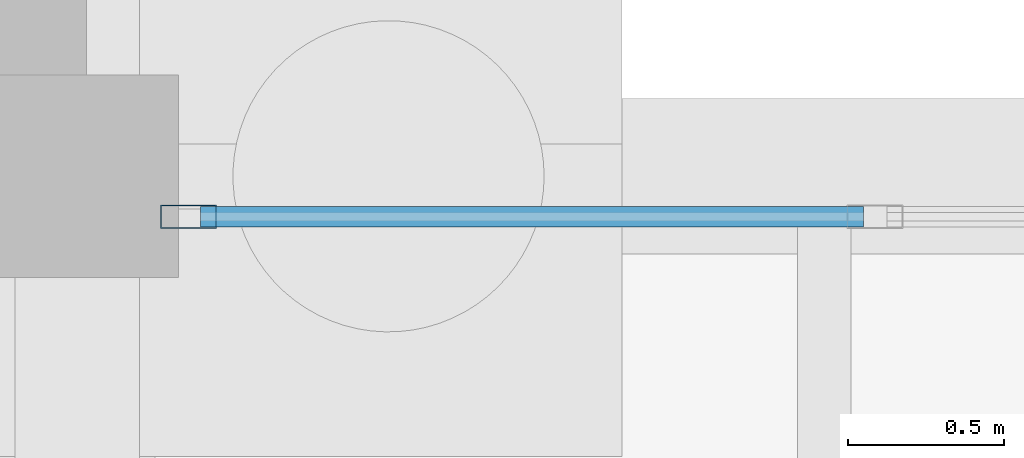
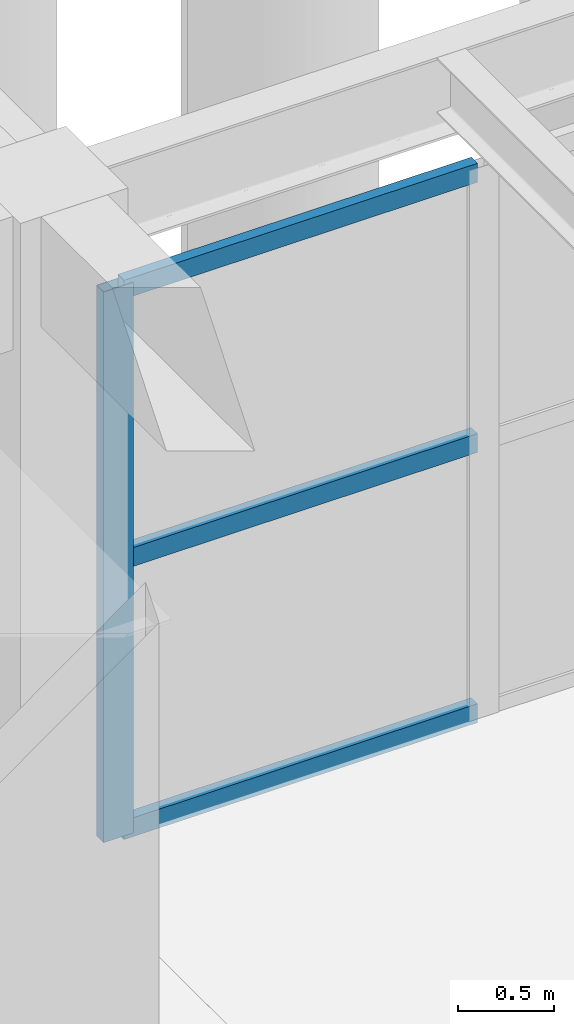
# One storey, part 9 of 28: 4 members, 1 element without a shape of its own.
"""IFC4 building model written with IfcOpenShell, lengths in metres."""

from ifc_helpers import new_model, si_unit, direction, frame, origin, origin_2d, place, context, subcontext, project, spatial, hollow_rectangle, extrude, material, material_profile, profile_set, type_object, element, aggregate, save


model = new_model("IFC4")

# Units and contexts
model_context = context("Model", 3, precision=1e-05, world=origin(), true_north=direction((0.0, 1.0)))
body_context = subcontext(model_context, "Body", "Model", "MODEL_VIEW")
ifc_project = project(units=[si_unit("LENGTHUNIT", "METRE"), si_unit("AREAUNIT", "SQUARE_METRE"), si_unit("VOLUMEUNIT", "CUBIC_METRE"), si_unit("PLANEANGLEUNIT", "RADIAN"), si_unit("MASSUNIT", "GRAM", prefix="KILO")], contexts=[model_context])

# Site, building, storey
site_placement = place(None, origin())
site = spatial("IfcSite", under=ifc_project, at=site_placement, CompositionType="ELEMENT")
building_placement = place(site_placement, origin())
building = spatial("IfcBuilding", under=site, at=building_placement, Name="Bramvelor Terrace Health Centre", CompositionType="ELEMENT")
storey_placement = place(building_placement, frame((0.0, 0.0, -4.5)))
storey = spatial("IfcBuildingStorey", under=building, at=storey_placement, Name="B1", CompositionType="ELEMENT", Elevation=-4.5)

# Curtain wall, members
ifc_material_1 = material(Name="Anodized aluminium and double low-E glass", Category="aluminium")
curtain_wall_type = type_object("IfcCurtainWallType", Name="CW-SYS-01", PredefinedType="NOTDEFINED", material=ifc_material_1)
curtain_wall_placement = place(storey_placement, origin())
curtain_wall = element("IfcCurtainWall", 1, at=curtain_wall_placement, inside=storey, type_object=curtain_wall_type, Name="B1 Unitized Curtain Wall 1", PredefinedType="NOTDEFINED")
ifc_material_2 = material(Name="Anodized aluminium 6063-T6", Category="aluminium")
ifc_material_profile_1 = material_profile(ifc_material_2, hollow_rectangle(XDim=0.074951171875, YDim=0.179931640625, WallThickness=0.00341796875, at=origin_2d()), Name="ALU-MUL 75x180x3.5")
ifc_profile_set_1 = profile_set([ifc_material_profile_1], Name="Anodized aluminium 6063-T6")
member_type_1 = type_object("IfcMemberType", Name="CW-MUL-65x180", PredefinedType="MULLION", material=ifc_profile_set_1)
member_1_placement = place(storey_placement, frame((29.157470703125, 57.469970703125, 0.0), z_axis=(0.0, 0.0, 1.0), x_axis=(0.0, 1.0, 0.0)))
member_1 = element("IfcMember", 2, at=member_1_placement, type_object=member_type_1, Name="CW-01 mullion 1", PredefinedType="MULLION", context=body_context, shape_type="SweptSolid", body=[
    extrude(hollow_rectangle(XDim=0.074951171875, YDim=0.179931640625, WallThickness=0.00341796875, at=origin_2d()), origin(), (0.0, 0.0, 1.0), 3.510009765625),
])
ifc_material_3 = material(Name="Anodized aluminium 6063-T6", Category="aluminium")
ifc_material_profile_2 = material_profile(ifc_material_3, hollow_rectangle(XDim=0.06494140625, YDim=0.1201171875, WallThickness=0.0029296875, at=origin_2d()), Name="ALU-TRN 65x120x3.0")
ifc_profile_set_2 = profile_set([ifc_material_profile_2], Name="Anodized aluminium 6063-T6")
member_type_2 = type_object("IfcMemberType", Name="CW-TRN-65x150", PredefinedType="USERDEFINED", material=ifc_profile_set_2)
member_2_placement = place(storey_placement, frame((29.195068359375, 57.469970703125, 0.032470703125), z_axis=(1.0, 0.0, 0.0), x_axis=(0.0, 1.0, 0.0)))
member_2 = element("IfcMember", 3, at=member_2_placement, type_object=member_type_2, Name="CW-01 transom 1.1", ObjectType="TRANSOM", PredefinedType="USERDEFINED", context=body_context, shape_type="SweptSolid", body=[
    extrude(hollow_rectangle(XDim=0.06494140625, YDim=0.1201171875, WallThickness=0.0029296875, at=origin_2d()), origin(), (0.0, 0.0, 1.0), 2.131103515625),
])
member_3_placement = place(storey_placement, frame((29.195068359375, 57.469970703125, 1.7548828125), z_axis=(1.0, 0.0, 0.0), x_axis=(0.0, 1.0, 0.0)))
member_3 = element("IfcMember", 4, at=member_3_placement, type_object=member_type_2, Name="CW-01 transom 1.2", ObjectType="TRANSOM", PredefinedType="USERDEFINED", context=body_context, shape_type="SweptSolid", body=[
    extrude(hollow_rectangle(XDim=0.06494140625, YDim=0.1201171875, WallThickness=0.0029296875, at=origin_2d()), origin(), (0.0, 0.0, 1.0), 2.131103515625),
])
member_4_placement = place(storey_placement, frame((29.195068359375, 57.469970703125, 3.4775390625), z_axis=(1.0, 0.0, 0.0), x_axis=(0.0, 1.0, 0.0)))
member_4 = element("IfcMember", 5, at=member_4_placement, type_object=member_type_2, Name="CW-01 transom 1.3", ObjectType="TRANSOM", PredefinedType="USERDEFINED", context=body_context, shape_type="SweptSolid", body=[
    extrude(hollow_rectangle(XDim=0.06494140625, YDim=0.1201171875, WallThickness=0.0029296875, at=origin_2d()), origin(), (0.0, 0.0, 1.0), 2.131103515625),
])
aggregate(curtain_wall, [member_1, member_2, member_3, member_4])

save(model, "model.ifc")
